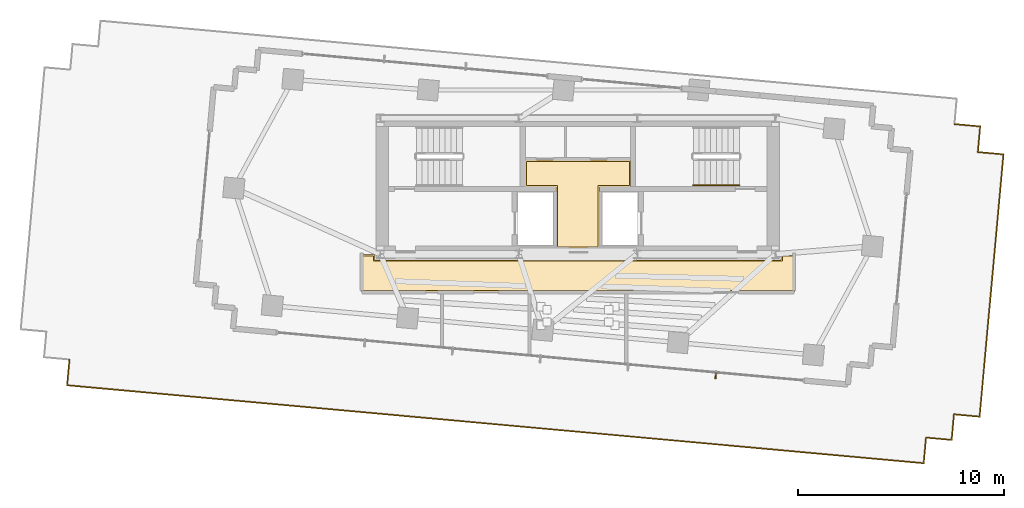
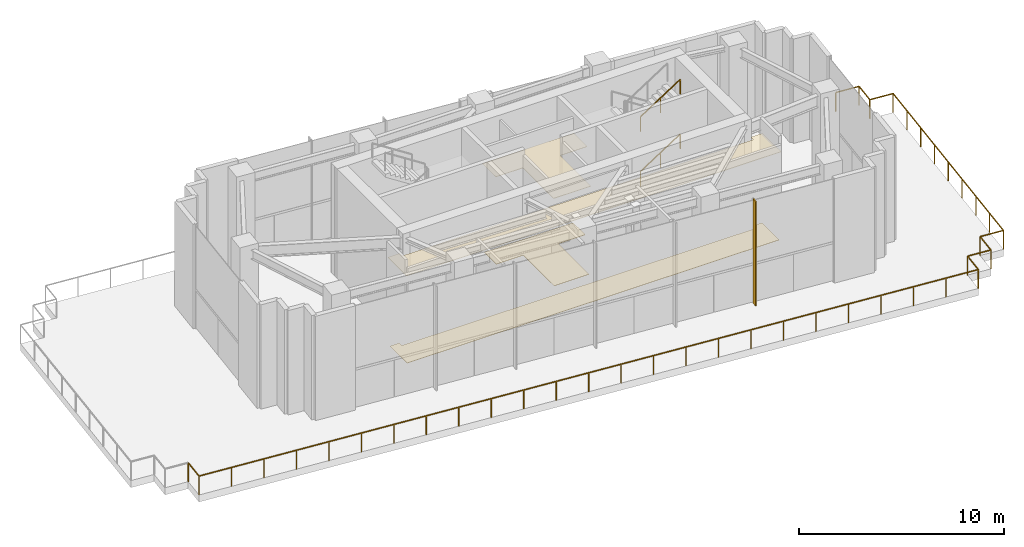
# One storey, part 17 of 18: 4 coverings, 3 railings, 1 shading device.
"""IFC4 building model written with IfcOpenShell, lengths in metres."""

from ifc_helpers import new_model, si_unit, direction, frame, origin, origin_2d, place, context, subcontext, project, spatial, polyline, rectangle, outline, extrude, source, transform, mapped, material, layer, layer_set, type_object, type_shapes, element, save


model = new_model("IFC4")

# Units and contexts
model_context = context("Model", 3, precision=1e-05, world=origin(), true_north=direction((0.0, 1.0)))
body_context = subcontext(model_context, "Body", "Model", "MODEL_VIEW")
ifc_project = project(units=[si_unit("LENGTHUNIT", "METRE"), si_unit("AREAUNIT", "SQUARE_METRE"), si_unit("VOLUMEUNIT", "CUBIC_METRE"), si_unit("PLANEANGLEUNIT", "RADIAN"), si_unit("MASSUNIT", "GRAM", prefix="KILO")], contexts=[model_context])

# Site, building, storey
site_placement = place(None, origin())
site = spatial("IfcSite", under=ifc_project, at=site_placement, CompositionType="ELEMENT")
building_placement = place(site_placement, origin())
building = spatial("IfcBuilding", under=site, at=building_placement, Name="Astriad Promenade Condominiums", CompositionType="ELEMENT")
storey_placement = place(building_placement, frame((0.0, 0.0, 264.300048828125)))
storey = spatial("IfcBuildingStorey", under=building, at=storey_placement, Name="L76", CompositionType="ELEMENT", Elevation=264.300048828125)

# Coverings
ifc_material_1 = material(Name="Mineral-Fibre Acoustic Ceiling Tile")
ifc_layer_1 = layer(ifc_material_1, 0.02490234375)
ifc_layer_set_1 = layer_set([ifc_layer_1], Name="Mineral-Fibre Acoustic Ceiling Tile")
covering_type_1 = type_object("IfcCoveringType", Name="COV-CEIL-ACOUSTIC-25", PredefinedType="CEILING", material=ifc_layer_set_1)
covering_1_placement = place(storey_placement, frame((0.0, 0.0, 5.2548828125)))
element("IfcCovering", 1, at=covering_1_placement, inside=storey, type_object=covering_type_1, Name="CEIL-L76-CSL", PredefinedType="CEILING", context=body_context, shape_type="SweptSolid", body=[
    extrude(outline(polyline([(37.050048828125, 17.699951171875), (37.0498046875, 17.697021484375), (37.04931640625, 17.694091796875), (37.048583984375, 17.69140625), (37.047607421875, 17.6884765625), (37.04638671875, 17.685791015625), (37.044921875, 17.683349609375), (37.043212890625, 17.680908203125), (37.041259765625, 17.6787109375), (37.0390625, 17.6767578125), (37.03662109375, 17.675048828125), (37.0341796875, 17.673583984375), (37.031494140625, 17.67236328125), (37.02880859375, 17.67138671875), (37.02587890625, 17.670654296875), (37.02294921875, 17.670166015625), (37.02001953125, 17.669921875), (34.97998046875, 17.669921875), (34.97705078125, 17.670166015625), (34.97412109375, 17.670654296875), (34.97119140625, 17.67138671875), (34.968505859375, 17.67236328125), (34.9658203125, 17.673583984375), (34.96337890625, 17.675048828125), (34.9609375, 17.6767578125), (34.958740234375, 17.6787109375), (34.956787109375, 17.680908203125), (34.955078125, 17.683349609375), (34.95361328125, 17.685791015625), (34.952392578125, 17.6884765625), (34.951416015625, 17.69140625), (34.95068359375, 17.694091796875), (34.9501953125, 17.697021484375), (34.949951171875, 17.699951171875), (34.949951171875, 20.669921875), (33.4599609375, 20.669921875), (33.45703125, 20.670166015625), (33.4541015625, 20.670654296875), (33.451416015625, 20.67138671875), (33.448486328125, 20.67236328125), (33.44580078125, 20.673583984375), (33.443359375, 20.675048828125), (33.44091796875, 20.6767578125), (33.438720703125, 20.6787109375), (33.436767578125, 20.680908203125), (33.43505859375, 20.683349609375), (33.43359375, 20.685791015625), (33.432373046875, 20.6884765625), (33.431396484375, 20.69140625), (33.4306640625, 20.694091796875), (33.43017578125, 20.697021484375), (33.429931640625, 20.699951171875), (33.429931640625, 21.949951171875), (33.43017578125, 21.952880859375), (33.4306640625, 21.955810546875), (33.431396484375, 21.958740234375), (33.432373046875, 21.96142578125), (33.43359375, 21.964111328125), (33.43505859375, 21.966796875), (33.436767578125, 21.968994140625), (33.438720703125, 21.97119140625), (33.44091796875, 21.97314453125), (33.443359375, 21.974853515625), (33.44580078125, 21.9765625), (33.448486328125, 21.977783203125), (33.451416015625, 21.978759765625), (33.4541015625, 21.9794921875), (33.45703125, 21.97998046875), (33.4599609375, 21.97998046875), (38.5400390625, 21.97998046875), (38.54296875, 21.97998046875), (38.5458984375, 21.9794921875), (38.548583984375, 21.978759765625), (38.551513671875, 21.977783203125), (38.55419921875, 21.9765625), (38.556640625, 21.974853515625), (38.55908203125, 21.97314453125), (38.561279296875, 21.97119140625), (38.563232421875, 21.968994140625), (38.56494140625, 21.966796875), (38.56640625, 21.964111328125), (38.567626953125, 21.96142578125), (38.568603515625, 21.958740234375), (38.5693359375, 21.955810546875), (38.56982421875, 21.952880859375), (38.570068359375, 21.949951171875), (38.570068359375, 20.699951171875), (38.56982421875, 20.697021484375), (38.5693359375, 20.694091796875), (38.568603515625, 20.69140625), (38.567626953125, 20.6884765625), (38.56640625, 20.685791015625), (38.56494140625, 20.683349609375), (38.563232421875, 20.680908203125), (38.561279296875, 20.6787109375), (38.55908203125, 20.6767578125), (38.556640625, 20.675048828125), (38.55419921875, 20.673583984375), (38.551513671875, 20.67236328125), (38.548583984375, 20.67138671875), (38.5458984375, 20.670654296875), (38.54296875, 20.670166015625), (38.5400390625, 20.669921875), (37.050048828125, 20.669921875), (37.050048828125, 17.699951171875)])), origin(), (0.0, 0.0, 1.0), 0.025146484375),
])
covering_2_placement = place(storey_placement, frame((0.0, 0.0, 5.2548828125)))
element("IfcCovering", 2, at=covering_2_placement, inside=storey, type_object=covering_type_1, Name="CEIL-L76-COR", PredefinedType="CEILING", context=body_context, shape_type="SweptSolid", body=[
    extrude(outline(polyline([(26.1298828125, 17.1298828125), (45.8701171875, 17.1298828125), (45.8701171875, 17.35009765625), (45.8701171875, 17.352783203125), (45.87060546875, 17.35595703125), (45.871337890625, 17.358642578125), (45.872314453125, 17.361572265625), (45.87353515625, 17.364013671875), (45.875, 17.36669921875), (45.876708984375, 17.368896484375), (45.87890625, 17.37109375), (45.881103515625, 17.373291015625), (45.88330078125, 17.375), (45.885986328125, 17.37646484375), (45.888427734375, 17.377685546875), (45.891357421875, 17.378662109375), (45.89404296875, 17.37939453125), (45.897216796875, 17.3798828125), (45.89990234375, 17.3798828125), (46.5, 17.3798828125), (46.5029296875, 17.3798828125), (46.505859375, 17.37939453125), (46.5087890625, 17.378662109375), (46.511474609375, 17.377685546875), (46.51416015625, 17.37646484375), (46.5166015625, 17.375), (46.51904296875, 17.373291015625), (46.521240234375, 17.37109375), (46.523193359375, 17.368896484375), (46.52490234375, 17.36669921875), (46.526611328125, 17.364013671875), (46.527587890625, 17.361572265625), (46.52880859375, 17.358642578125), (46.529296875, 17.35595703125), (46.52978515625, 17.352783203125), (46.530029296875, 17.35009765625), (46.530029296875, 15.60009765625), (46.52978515625, 15.59716796875), (46.529296875, 15.593994140625), (46.52880859375, 15.59130859375), (46.527587890625, 15.58837890625), (46.526611328125, 15.5859375), (46.52490234375, 15.583251953125), (46.523193359375, 15.5810546875), (46.521240234375, 15.578857421875), (46.51904296875, 15.576904296875), (46.5166015625, 15.5751953125), (46.51416015625, 15.573486328125), (46.511474609375, 15.572265625), (46.5087890625, 15.5712890625), (46.505859375, 15.570556640625), (46.5029296875, 15.570068359375), (46.5, 15.570068359375), (25.5, 15.570068359375), (25.4970703125, 15.570068359375), (25.494140625, 15.570556640625), (25.4912109375, 15.5712890625), (25.488525390625, 15.572265625), (25.48583984375, 15.573486328125), (25.4833984375, 15.5751953125), (25.48095703125, 15.576904296875), (25.478759765625, 15.578857421875), (25.476806640625, 15.5810546875), (25.47509765625, 15.583251953125), (25.473388671875, 15.5859375), (25.472412109375, 15.58837890625), (25.47119140625, 15.59130859375), (25.470703125, 15.593994140625), (25.47021484375, 15.59716796875), (25.469970703125, 15.60009765625), (25.469970703125, 17.35009765625), (25.47021484375, 17.352783203125), (25.470703125, 17.35595703125), (25.47119140625, 17.358642578125), (25.472412109375, 17.361572265625), (25.473388671875, 17.364013671875), (25.47509765625, 17.36669921875), (25.476806640625, 17.368896484375), (25.478759765625, 17.37109375), (25.48095703125, 17.373291015625), (25.4833984375, 17.375), (25.48583984375, 17.37646484375), (25.488525390625, 17.377685546875), (25.4912109375, 17.378662109375), (25.494140625, 17.37939453125), (25.4970703125, 17.3798828125), (25.5, 17.3798828125), (26.10009765625, 17.3798828125), (26.102783203125, 17.3798828125), (26.10595703125, 17.37939453125), (26.108642578125, 17.378662109375), (26.111572265625, 17.377685546875), (26.114013671875, 17.37646484375), (26.11669921875, 17.375), (26.118896484375, 17.373291015625), (26.12109375, 17.37109375), (26.123291015625, 17.368896484375), (26.125, 17.36669921875), (26.12646484375, 17.364013671875), (26.127685546875, 17.361572265625), (26.128662109375, 17.358642578125), (26.12939453125, 17.35595703125), (26.1298828125, 17.352783203125), (26.1298828125, 17.35009765625), (26.1298828125, 17.1298828125)])), origin(), (0.0, 0.0, 1.0), 0.025146484375),
])
ifc_material_2 = material(Name="Polished Lakefront Terrazzo Flooring")
ifc_layer_2 = layer(ifc_material_2, 0.02001953125)
ifc_layer_set_2 = layer_set([ifc_layer_2], Name="Polished Lakefront Terrazzo Flooring")
covering_type_2 = type_object("IfcCoveringType", Name="COV-FLOR-TERRAZZO-20", PredefinedType="FLOORING", material=ifc_layer_set_2)
covering_3_placement = place(storey_placement, origin())
element("IfcCovering", 3, at=covering_3_placement, inside=storey, type_object=covering_type_2, Name="FLR-L76-CSL", PredefinedType="FLOORING", context=body_context, shape_type="SweptSolid", body=[
    extrude(outline(polyline([(36.97998046875, 20.699951171875), (36.97998046875, 17.739990234375), (35.02001953125, 17.739990234375), (35.02001953125, 20.699951171875), (35.019775390625, 20.703857421875), (35.019287109375, 20.707763671875), (35.018310546875, 20.711669921875), (35.01708984375, 20.71533203125), (35.015380859375, 20.718994140625), (35.01318359375, 20.72216796875), (35.010986328125, 20.725341796875), (35.00830078125, 20.728271484375), (35.00537109375, 20.73095703125), (35.002197265625, 20.7333984375), (34.998779296875, 20.7353515625), (34.995361328125, 20.737060546875), (34.99169921875, 20.73828125), (34.98779296875, 20.7392578125), (34.98388671875, 20.73974609375), (34.97998046875, 20.739990234375), (33.5, 20.739990234375), (33.5, 21.909912109375), (38.5, 21.909912109375), (38.5, 20.739990234375), (37.02001953125, 20.739990234375), (37.01611328125, 20.73974609375), (37.01220703125, 20.7392578125), (37.00830078125, 20.73828125), (37.004638671875, 20.737060546875), (37.001220703125, 20.7353515625), (36.997802734375, 20.7333984375), (36.99462890625, 20.73095703125), (36.99169921875, 20.728271484375), (36.989013671875, 20.725341796875), (36.98681640625, 20.72216796875), (36.984619140625, 20.718994140625), (36.98291015625, 20.71533203125), (36.981689453125, 20.711669921875), (36.980712890625, 20.707763671875), (36.980224609375, 20.703857421875), (36.97998046875, 20.699951171875)])), origin(), (0.0, 0.0, 1.0), 0.02001953125),
])
covering_4_placement = place(storey_placement, origin())
element("IfcCovering", 4, at=covering_4_placement, inside=storey, type_object=covering_type_2, Name="FLR-L76-COR", PredefinedType="FLOORING", context=body_context, shape_type="SweptSolid", body=[
    extrude(outline(polyline([(26.06005859375, 17.31005859375), (26.06005859375, 17.10009765625), (26.060302734375, 17.09619140625), (26.060791015625, 17.09228515625), (26.061767578125, 17.08837890625), (26.06298828125, 17.084716796875), (26.064697265625, 17.0810546875), (26.066650390625, 17.077880859375), (26.069091796875, 17.07470703125), (26.07177734375, 17.07177734375), (26.07470703125, 17.069091796875), (26.077880859375, 17.066650390625), (26.0810546875, 17.064697265625), (26.084716796875, 17.06298828125), (26.08837890625, 17.061767578125), (26.09228515625, 17.060791015625), (26.09619140625, 17.060302734375), (26.10009765625, 17.06005859375), (45.89990234375, 17.06005859375), (45.90380859375, 17.060302734375), (45.90771484375, 17.060791015625), (45.91162109375, 17.061767578125), (45.915283203125, 17.06298828125), (45.9189453125, 17.064697265625), (45.922119140625, 17.066650390625), (45.92529296875, 17.069091796875), (45.92822265625, 17.07177734375), (45.930908203125, 17.07470703125), (45.933349609375, 17.077880859375), (45.935302734375, 17.0810546875), (45.93701171875, 17.084716796875), (45.938232421875, 17.08837890625), (45.939208984375, 17.09228515625), (45.939697265625, 17.09619140625), (45.93994140625, 17.10009765625), (45.93994140625, 17.31005859375), (46.4599609375, 17.31005859375), (46.4599609375, 15.639892578125), (25.5400390625, 15.639892578125), (25.5400390625, 17.31005859375), (26.06005859375, 17.31005859375)])), origin(), (0.0, 0.0, 1.0), 0.02001953125),
])

# Shading device
ifc_material_3 = material(Name="Anodised aluminium 6063-T6 Black Fin", Category="aluminium")
shading_device_type = type_object("IfcShadingDeviceType", Name="FIN-BLACK-260", PredefinedType="USERDEFINED", material=ifc_material_3)
shared_shape_1 = source(origin(), body_context, "Body", "SweptSolid", [
    extrude(rectangle(XDim=0.06494140625, YDim=0.320068359375, at=origin_2d()), origin(), (0.0, 0.0, 1.0), 6.199951171875),
])
type_shapes(shading_device_type, [shared_shape_1])
shading_device_placement = place(storey_placement, frame((42.702392578125, 11.51220703125, 0.0), z_axis=(0.0, 0.0, 1.0), x_axis=(-0.995884398616, 0.090632580198, 0.0)))
element("IfcShadingDevice", 5, at=shading_device_placement, inside=storey, type_object=shading_device_type, Name="CW-LNT-L76-18-1-FIN-01", ObjectType="FIN", PredefinedType="USERDEFINED", context=body_context, shape_type="MappedRepresentation", body=[
    mapped(shared_shape_1, transform((0.0, 0.0, 0.0), scale=1.0)),
])

# Railings
ifc_material_4 = material(Name="Anodised Aluminium and Glass Terrace Guardrail", Category="aluminium")
railing_type_1 = type_object("IfcRailingType", Name="GRD-TERR-1150", PredefinedType="GUARDRAIL", material=ifc_material_4)
shared_shape_2 = source(origin(), body_context, "Body", "SweptSolid", [
    extrude(rectangle(XDim=0.048095703125, YDim=0.048095703125, at=origin_2d()), frame((0.0, 0.0, 1.1259765625), z_axis=(0.995885198071, -0.090623795235, 0.0), x_axis=(0.090623795235, 0.995885198071, 0.0)), (0.0, 0.0, 1.0), 1.25),
    extrude(rectangle(XDim=0.048095703125, YDim=0.048095703125, at=origin_2d()), frame((1.244873046875, -0.11328125, 1.1259765625), z_axis=(-0.090623795235, -0.995885198071, 0.0), x_axis=(0.995885198071, -0.090623795235, 0.0)), (0.0, 0.0, 1.0), 1.25),
    extrude(rectangle(XDim=0.048095703125, YDim=0.048095703125, at=origin_2d()), frame((1.131591796875, -1.358154296875, 1.1259765625), z_axis=(0.995883593587, -0.090641425544, 0.0), x_axis=(0.090641425544, 0.995883593587, 0.0)), (0.0, 0.0, 1.0), 1.249755859375),
    extrude(rectangle(XDim=0.048095703125, YDim=0.048095703125, at=origin_2d()), frame((2.376220703125, -1.471435546875, 1.1259765625), z_axis=(-0.090618293425, -0.995885698711, 0.0), x_axis=(0.995885698711, -0.090618293425, 0.0)), (0.0, 0.0, 1.0), 12.800048828125),
    extrude(rectangle(XDim=0.048095703125, YDim=0.048095703125, at=origin_2d()), frame((1.21630859375, -14.21875, 1.1259765625), z_axis=(-0.995885198071, 0.090623795235, 0.0), x_axis=(-0.090623795235, -0.995885198071, 0.0)), (0.0, 0.0, 1.0), 1.25),
    extrude(rectangle(XDim=0.048095703125, YDim=0.048095703125, at=origin_2d()), frame((-0.028564453125, -14.10546875, 1.1259765625), z_axis=(-0.090623795235, -0.995885198071, 0.0), x_axis=(0.995885198071, -0.090623795235, 0.0)), (0.0, 0.0, 1.0), 1.25),
    extrude(rectangle(XDim=0.048095703125, YDim=0.048095703125, at=origin_2d()), frame((-0.141845703125, -15.350341796875, 1.1259765625), z_axis=(-0.995885198071, 0.090623795235, 0.0), x_axis=(-0.090623795235, -0.995885198071, 0.0)), (0.0, 0.0, 1.0), 1.25),
    extrude(rectangle(XDim=0.048095703125, YDim=0.048095703125, at=origin_2d()), frame((-1.38671875, -15.237060546875, 1.1259765625), z_axis=(-0.090623795235, -0.995885198071, 0.0), x_axis=(0.995885198071, -0.090623795235, 0.0)), (0.0, 0.0, 1.0), 1.25),
    extrude(rectangle(XDim=0.048095703125, YDim=0.048095703125, at=origin_2d()), frame((-1.5, -16.48193359375, 1.1259765625), z_axis=(-0.995884632467, 0.090630010568, 0.0), x_axis=(-0.090630010568, -0.995884632467, 0.0)), (0.0, 0.0, 1.0), 41.800048828125),
    extrude(rectangle(XDim=0.048095703125, YDim=0.048095703125, at=origin_2d()), frame((-43.1279296875, -12.693603515625, 1.1259765625), z_axis=(0.090623795235, 0.995885198071, 0.0), x_axis=(-0.995885198071, 0.090623795235, 0.0)), (0.0, 0.0, 1.0), 1.25),
    extrude(rectangle(XDim=0.0419921875, YDim=0.0419921875, at=origin_2d()), origin(), (0.0, 0.0, 1.0), 1.101806640625),
    extrude(rectangle(XDim=0.0419921875, YDim=0.0419921875, at=origin_2d()), frame((1.244873046875, -0.11328125, 0.0)), (0.0, 0.0, 1.0), 1.101806640625),
    extrude(rectangle(XDim=0.0419921875, YDim=0.0419921875, at=origin_2d()), frame((1.131591796875, -1.358154296875, 0.0)), (0.0, 0.0, 1.0), 1.101806640625),
    extrude(rectangle(XDim=0.0419921875, YDim=0.0419921875, at=origin_2d()), frame((2.376220703125, -1.471435546875, 0.0)), (0.0, 0.0, 1.0), 1.101806640625),
    extrude(rectangle(XDim=0.0419921875, YDim=0.0419921875, at=origin_2d()), frame((2.231201171875, -3.06494140625, 0.0)), (0.0, 0.0, 1.0), 1.101806640625),
    extrude(rectangle(XDim=0.0419921875, YDim=0.0419921875, at=origin_2d()), frame((2.086181640625, -4.658203125, 0.0)), (0.0, 0.0, 1.0), 1.101806640625),
    extrude(rectangle(XDim=0.0419921875, YDim=0.0419921875, at=origin_2d()), frame((1.941162109375, -6.251708984375, 0.0)), (0.0, 0.0, 1.0), 1.101806640625),
    extrude(rectangle(XDim=0.0419921875, YDim=0.0419921875, at=origin_2d()), frame((1.79638671875, -7.84521484375, 0.0)), (0.0, 0.0, 1.0), 1.101806640625),
    extrude(rectangle(XDim=0.0419921875, YDim=0.0419921875, at=origin_2d()), frame((1.6513671875, -9.4384765625, 0.0)), (0.0, 0.0, 1.0), 1.101806640625),
    extrude(rectangle(XDim=0.0419921875, YDim=0.0419921875, at=origin_2d()), frame((1.50634765625, -11.031982421875, 0.0)), (0.0, 0.0, 1.0), 1.101806640625),
    extrude(rectangle(XDim=0.0419921875, YDim=0.0419921875, at=origin_2d()), frame((1.361328125, -12.625244140625, 0.0)), (0.0, 0.0, 1.0), 1.101806640625),
    extrude(rectangle(XDim=0.0419921875, YDim=0.0419921875, at=origin_2d()), frame((1.21630859375, -14.21875, 0.0)), (0.0, 0.0, 1.0), 1.101806640625),
    extrude(rectangle(XDim=0.0419921875, YDim=0.0419921875, at=origin_2d()), frame((-0.028564453125, -14.10546875, 0.0)), (0.0, 0.0, 1.0), 1.101806640625),
    extrude(rectangle(XDim=0.0419921875, YDim=0.0419921875, at=origin_2d()), frame((-0.141845703125, -15.350341796875, 0.0)), (0.0, 0.0, 1.0), 1.101806640625),
    extrude(rectangle(XDim=0.0419921875, YDim=0.0419921875, at=origin_2d()), frame((-1.38671875, -15.237060546875, 0.0)), (0.0, 0.0, 1.0), 1.101806640625),
    extrude(rectangle(XDim=0.0419921875, YDim=0.0419921875, at=origin_2d()), frame((-1.5, -16.48193359375, 0.0)), (0.0, 0.0, 1.0), 1.101806640625),
    extrude(rectangle(XDim=0.0419921875, YDim=0.0419921875, at=origin_2d()), frame((-3.234375, -16.323974609375, 0.0)), (0.0, 0.0, 1.0), 1.101806640625),
    extrude(rectangle(XDim=0.0419921875, YDim=0.0419921875, at=origin_2d()), frame((-4.968994140625, -16.166259765625, 0.0)), (0.0, 0.0, 1.0), 1.101806640625),
    extrude(rectangle(XDim=0.0419921875, YDim=0.0419921875, at=origin_2d()), frame((-6.70361328125, -16.00830078125, 0.0)), (0.0, 0.0, 1.0), 1.101806640625),
    extrude(rectangle(XDim=0.0419921875, YDim=0.0419921875, at=origin_2d()), frame((-8.43798828125, -15.8505859375, 0.0)), (0.0, 0.0, 1.0), 1.101806640625),
    extrude(rectangle(XDim=0.0419921875, YDim=0.0419921875, at=origin_2d()), frame((-10.17236328125, -15.692626953125, 0.0)), (0.0, 0.0, 1.0), 1.101806640625),
    extrude(rectangle(XDim=0.0419921875, YDim=0.0419921875, at=origin_2d()), frame((-11.906982421875, -15.534912109375, 0.0)), (0.0, 0.0, 1.0), 1.101806640625),
    extrude(rectangle(XDim=0.0419921875, YDim=0.0419921875, at=origin_2d()), frame((-13.6416015625, -15.376953125, 0.0)), (0.0, 0.0, 1.0), 1.101806640625),
    extrude(rectangle(XDim=0.0419921875, YDim=0.0419921875, at=origin_2d()), frame((-15.3759765625, -15.21923828125, 0.0)), (0.0, 0.0, 1.0), 1.101806640625),
    extrude(rectangle(XDim=0.0419921875, YDim=0.0419921875, at=origin_2d()), frame((-17.1103515625, -15.061279296875, 0.0)), (0.0, 0.0, 1.0), 1.101806640625),
    extrude(rectangle(XDim=0.0419921875, YDim=0.0419921875, at=origin_2d()), frame((-18.844970703125, -14.903564453125, 0.0)), (0.0, 0.0, 1.0), 1.101806640625),
    extrude(rectangle(XDim=0.0419921875, YDim=0.0419921875, at=origin_2d()), frame((-20.57958984375, -14.74560546875, 0.0)), (0.0, 0.0, 1.0), 1.101806640625),
    extrude(rectangle(XDim=0.0419921875, YDim=0.0419921875, at=origin_2d()), frame((-22.31396484375, -14.587890625, 0.0)), (0.0, 0.0, 1.0), 1.101806640625),
    extrude(rectangle(XDim=0.0419921875, YDim=0.0419921875, at=origin_2d()), frame((-24.04833984375, -14.429931640625, 0.0)), (0.0, 0.0, 1.0), 1.101806640625),
    extrude(rectangle(XDim=0.0419921875, YDim=0.0419921875, at=origin_2d()), frame((-25.782958984375, -14.27197265625, 0.0)), (0.0, 0.0, 1.0), 1.101806640625),
    extrude(rectangle(XDim=0.0419921875, YDim=0.0419921875, at=origin_2d()), frame((-27.517578125, -14.1142578125, 0.0)), (0.0, 0.0, 1.0), 1.101806640625),
    extrude(rectangle(XDim=0.0419921875, YDim=0.0419921875, at=origin_2d()), frame((-29.251953125, -13.956298828125, 0.0)), (0.0, 0.0, 1.0), 1.101806640625),
    extrude(rectangle(XDim=0.0419921875, YDim=0.0419921875, at=origin_2d()), frame((-30.986328125, -13.798583984375, 0.0)), (0.0, 0.0, 1.0), 1.101806640625),
    extrude(rectangle(XDim=0.0419921875, YDim=0.0419921875, at=origin_2d()), frame((-32.720947265625, -13.640625, 0.0)), (0.0, 0.0, 1.0), 1.101806640625),
    extrude(rectangle(XDim=0.0419921875, YDim=0.0419921875, at=origin_2d()), frame((-34.45556640625, -13.48291015625, 0.0)), (0.0, 0.0, 1.0), 1.101806640625),
    extrude(rectangle(XDim=0.0419921875, YDim=0.0419921875, at=origin_2d()), frame((-36.18994140625, -13.324951171875, 0.0)), (0.0, 0.0, 1.0), 1.101806640625),
    extrude(rectangle(XDim=0.0419921875, YDim=0.0419921875, at=origin_2d()), frame((-37.92431640625, -13.167236328125, 0.0)), (0.0, 0.0, 1.0), 1.101806640625),
    extrude(rectangle(XDim=0.0419921875, YDim=0.0419921875, at=origin_2d()), frame((-39.658935546875, -13.00927734375, 0.0)), (0.0, 0.0, 1.0), 1.101806640625),
    extrude(rectangle(XDim=0.0419921875, YDim=0.0419921875, at=origin_2d()), frame((-41.3935546875, -12.8515625, 0.0)), (0.0, 0.0, 1.0), 1.101806640625),
    extrude(rectangle(XDim=0.0419921875, YDim=0.0419921875, at=origin_2d()), frame((-43.1279296875, -12.693603515625, 0.0)), (0.0, 0.0, 1.0), 1.101806640625),
    extrude(rectangle(XDim=0.0419921875, YDim=0.0419921875, at=origin_2d()), frame((-43.0146484375, -11.44873046875, 0.0)), (0.0, 0.0, 1.0), 1.101806640625),
])
type_shapes(railing_type_1, [shared_shape_2])
railing_placement = place(storey_placement, frame((54.307373046875, 23.724365234375, 0.0)))
element("IfcRailing", 6, at=railing_placement, inside=storey, type_object=railing_type_1, Name="GRD-TSTEP-L76-02", PredefinedType="GUARDRAIL", context=body_context, shape_type="MappedRepresentation", body=[
    mapped(shared_shape_2, transform((0.0, 0.0, 0.0), scale=1.0)),
])
ifc_material_5 = material(Name="Brushed Stainless Steel Handrail", Category="steel")
railing_type_2 = type_object("IfcRailingType", Name="HRL-STAIR-920", PredefinedType="HANDRAIL", material=ifc_material_5)
shared_shape_3 = source(origin(), body_context, "Body", "SweptSolid", [
    extrude(rectangle(XDim=0.048095703125, YDim=0.048095703125, at=origin_2d()), frame((0.0, 0.0, 0.8759765625), z_axis=(0.840394893359, 0.0, 0.541974559565), x_axis=(0.0, 1.0, 0.0)), (0.0, 0.0, 1.0), 2.665283203125),
    extrude(rectangle(XDim=0.0419921875, YDim=0.0419921875, at=origin_2d()), origin(), (0.0, 0.0, 1.0), 0.851806640625),
    extrude(rectangle(XDim=0.0419921875, YDim=0.0419921875, at=origin_2d()), frame((1.1201171875, 0.0, 0.72216796875)), (0.0, 0.0, 1.0), 0.851806640625),
    extrude(rectangle(XDim=0.0419921875, YDim=0.0419921875, at=origin_2d()), frame((2.239990234375, 0.0, 1.444580078125)), (0.0, 0.0, 1.0), 0.851806640625),
])
type_shapes(railing_type_2, [shared_shape_3])
for number, where, name in (
    (7, (41.610107421875, 20.75, 1.805419921875), "L76 ST-2 stair handrail 2"),
    (8, (41.610107421875, 20.75, 5.055419921875), "L76 ST-2 stair handrail 4"),
):
    element("IfcRailing", number, at=place(storey_placement, frame(where)), inside=storey, type_object=railing_type_2, Name=name, PredefinedType="HANDRAIL", context=body_context, shape_type="MappedRepresentation", body=[
        mapped(shared_shape_3, transform((0.0, 0.0, 0.0), scale=1.0)),
    ])

save(model, "model.ifc")
